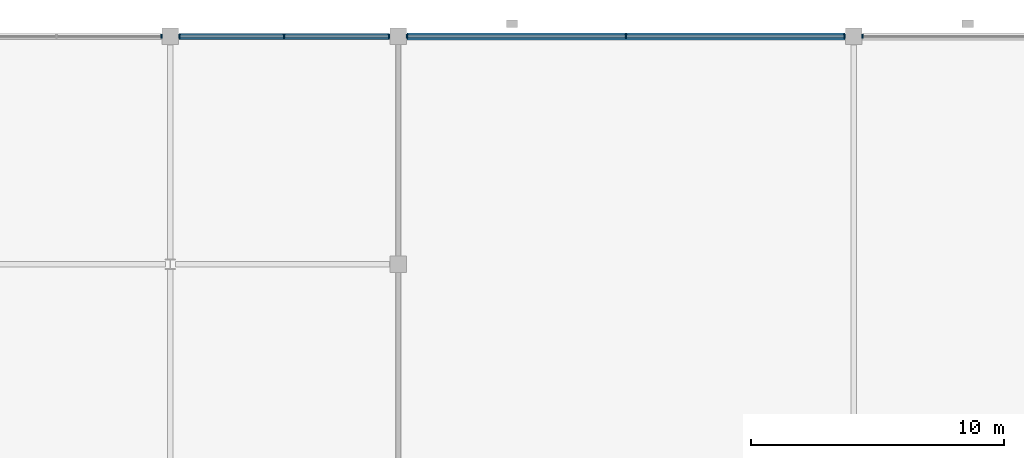
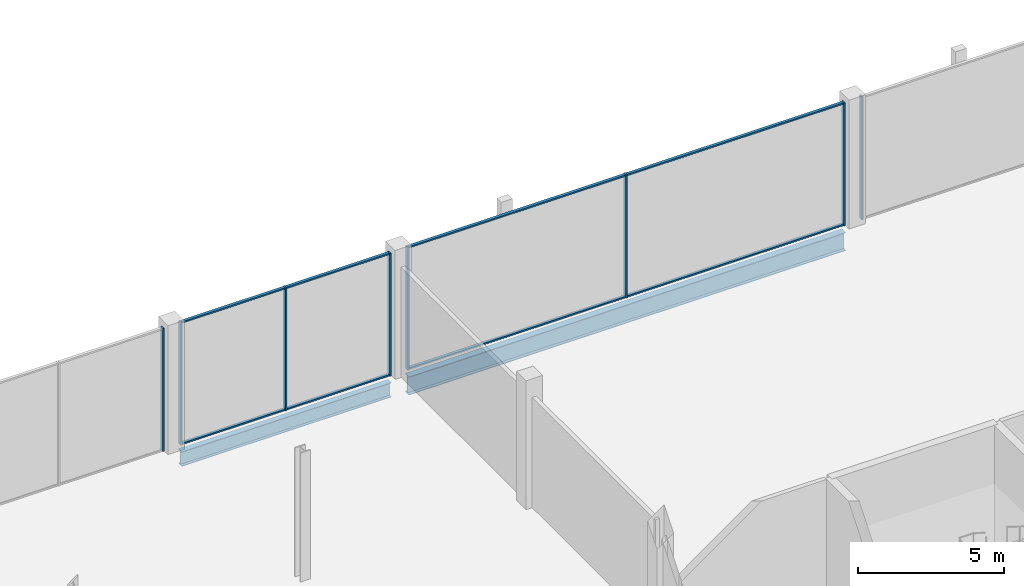
# One storey, part 35 of 113: 16 members, 2 beams, 4 elements without a shape of their own.
"""IFC4 building model written with IfcOpenShell, lengths in metres."""

from ifc_helpers import new_model, si_unit, direction, frame, origin, origin_2d, place, context, subcontext, project, spatial, rectangle, i_section, extrude, material, layer, layer_set, material_profile, profile_set, type_object, element, aggregate, save


model = new_model("IFC4")

# Units and contexts
model_context = context("Model", 3, precision=1e-05, world=origin(), true_north=direction((0.0, 1.0)))
body_context = subcontext(model_context, "Body", "Model", "MODEL_VIEW")
ifc_project = project(units=[si_unit("LENGTHUNIT", "METRE"), si_unit("AREAUNIT", "SQUARE_METRE"), si_unit("VOLUMEUNIT", "CUBIC_METRE"), si_unit("PLANEANGLEUNIT", "RADIAN"), si_unit("MASSUNIT", "GRAM", prefix="KILO")], contexts=[model_context])

# Site, building, storey
site_placement = place(None, origin())
site = spatial("IfcSite", under=ifc_project, at=site_placement, CompositionType="ELEMENT")
building_placement = place(site_placement, origin())
building = spatial("IfcBuilding", under=site, at=building_placement, Name="Kisiwana Market Hall", CompositionType="ELEMENT")
storey_placement = place(building_placement, frame((0.0, 0.0, 6.0)))
storey = spatial("IfcBuildingStorey", under=building, at=storey_placement, Name="L01", CompositionType="ELEMENT", Elevation=6.0)

# Beams
ifc_material_1 = material(Name="Steel S355", Category="steel")
ifc_material_profile_1 = material_profile(ifc_material_1, i_section(OverallWidth=0.22900390625, OverallDepth=0.6123046875, WebThickness=0.011962890625, FlangeThickness=0.01953125, at=origin_2d()), Name="UB 610x229x125")
ifc_profile_set_1 = profile_set([ifc_material_profile_1], Name="Steel S355")
beam_type_1 = type_object("IfcBeamType", Name="BM-GIRD-UB610H", PredefinedType="BEAM", material=ifc_profile_set_1)
beam_1_placement = place(storey_placement, frame((36.345947265625, 120.0, -0.55615234375), z_axis=(1.0, 0.0, 0.0), x_axis=(0.0, 1.0, 0.0)))
element("IfcBeam", 1, at=beam_1_placement, inside=storey, type_object=beam_type_1, Name="Floor beam B-0544", PredefinedType="BEAM", context=body_context, shape_type="SweptSolid", body=[
    extrude(i_section(OverallWidth=0.22900390625, OverallDepth=0.6123046875, WebThickness=0.011962890625, FlangeThickness=0.01953125, at=origin_2d()), origin(), (0.0, 0.0, 1.0), 8.30810546875),
])
ifc_material_2 = material(Name="Steel S355", Category="steel")
ifc_material_profile_2 = material_profile(ifc_material_2, i_section(OverallWidth=0.2666015625, OverallDepth=0.76220703125, WebThickness=0.014404296875, FlangeThickness=0.021484375, at=origin_2d()), Name="UB 762x267x173")
ifc_profile_set_2 = profile_set([ifc_material_profile_2], Name="Steel S355")
beam_type_2 = type_object("IfcBeamType", Name="BM-GIRD-UB762", PredefinedType="BEAM", material=ifc_profile_set_2)
beam_2_placement = place(storey_placement, frame((45.345947265625, 120.0, -0.631103515625), z_axis=(1.0, 0.0, 0.0), x_axis=(0.0, 1.0, 0.0)))
element("IfcBeam", 2, at=beam_2_placement, inside=storey, type_object=beam_type_2, Name="Floor beam B-0545", PredefinedType="BEAM", context=body_context, shape_type="SweptSolid", body=[
    extrude(i_section(OverallWidth=0.2666015625, OverallDepth=0.76220703125, WebThickness=0.014404296875, FlangeThickness=0.021484375, at=origin_2d()), origin(), (0.0, 0.0, 1.0), 17.30810546875),
])

# Curtain wall, member
ifc_material_3 = material(Name="Double-glazed solar-control low-E IGU", Category="glass")
ifc_layer = layer(ifc_material_3, 0.159912109375)
ifc_layer_set = layer_set([ifc_layer], Name="CW-FC-N-8100")
curtain_wall_type = type_object("IfcCurtainWallType", Name="CW-FC-N-8100", PredefinedType="USERDEFINED", material=ifc_layer_set)
curtain_wall_1_placement = place(storey_placement, origin())
curtain_wall_1 = element("IfcCurtainWall", 3, at=curtain_wall_1_placement, inside=storey, type_object=curtain_wall_type, Name="Unitised curtain wall CW-034 (L01)", ObjectType="UNITISED CURTAIN WALL", PredefinedType="USERDEFINED")
ifc_material_4 = material(Name="Aluminium alloy 6063-T6", Category="aluminium")
ifc_material_profile_3 = material_profile(ifc_material_4, rectangle(XDim=0.06005859375, YDim=0.159912109375, at=origin_2d()), Name="ALU MULLION 60x160")
ifc_profile_set_3 = profile_set([ifc_material_profile_3], Name="Aluminium alloy 6063-T6")
member_type_1 = type_object("IfcMemberType", Name="CW-MULL-60x160", PredefinedType="MULLION", material=ifc_profile_set_3)
member_1_placement = place(storey_placement, frame((35.64501953125, 120.0, 0.0), z_axis=(0.0, 0.0, 1.0), x_axis=(1.0, 0.0, 0.0)))
member_1 = element("IfcMember", 4, at=member_1_placement, type_object=member_type_1, Name="CW-034 mullion 3", PredefinedType="MULLION", context=body_context, shape_type="SweptSolid", body=[
    extrude(rectangle(XDim=0.06005859375, YDim=0.159912109375, at=origin_2d()), origin(), (0.0, 0.0, 1.0), 5.14990234375),
])
aggregate(curtain_wall_1, [member_1])

# Curtain wall, members
curtain_wall_2_placement = place(storey_placement, origin())
curtain_wall_2 = element("IfcCurtainWall", 5, at=curtain_wall_2_placement, inside=storey, type_object=curtain_wall_type, Name="Unitised curtain wall CW-035 (L01)", ObjectType="UNITISED CURTAIN WALL", PredefinedType="USERDEFINED")
member_2_placement = place(storey_placement, frame((36.35498046875, 120.0, 0.0), z_axis=(0.0, 0.0, 1.0), x_axis=(1.0, 0.0, 0.0)))
member_2 = element("IfcMember", 6, at=member_2_placement, type_object=member_type_1, Name="CW-035 mullion 1", PredefinedType="MULLION", context=body_context, shape_type="SweptSolid", body=[
    extrude(rectangle(XDim=0.06005859375, YDim=0.159912109375, at=origin_2d()), origin(), (0.0, 0.0, 1.0), 5.14990234375),
])
member_3_placement = place(storey_placement, frame((40.5, 120.0, 0.0), z_axis=(0.0, 0.0, 1.0), x_axis=(1.0, 0.0, 0.0)))
member_3 = element("IfcMember", 7, at=member_3_placement, type_object=member_type_1, Name="CW-035 mullion 2", PredefinedType="MULLION", context=body_context, shape_type="SweptSolid", body=[
    extrude(rectangle(XDim=0.06005859375, YDim=0.159912109375, at=origin_2d()), origin(), (0.0, 0.0, 1.0), 5.14990234375),
])
member_4_placement = place(storey_placement, frame((44.64501953125, 120.0, 0.0), z_axis=(0.0, 0.0, 1.0), x_axis=(1.0, 0.0, 0.0)))
member_4 = element("IfcMember", 8, at=member_4_placement, type_object=member_type_1, Name="CW-035 mullion 3", PredefinedType="MULLION", context=body_context, shape_type="SweptSolid", body=[
    extrude(rectangle(XDim=0.06005859375, YDim=0.159912109375, at=origin_2d()), origin(), (0.0, 0.0, 1.0), 5.14990234375),
])

curtain_wall_3_placement = place(storey_placement, origin())
curtain_wall_3 = element("IfcCurtainWall", 9, at=curtain_wall_3_placement, inside=storey, type_object=curtain_wall_type, Name="Unitised curtain wall CW-036 (L01)", ObjectType="UNITISED CURTAIN WALL", PredefinedType="USERDEFINED")
member_5_placement = place(storey_placement, frame((45.35498046875, 120.0, 0.0), z_axis=(0.0, 0.0, 1.0), x_axis=(1.0, 0.0, 0.0)))
member_5 = element("IfcMember", 10, at=member_5_placement, type_object=member_type_1, Name="CW-036 mullion 1", PredefinedType="MULLION", context=body_context, shape_type="SweptSolid", body=[
    extrude(rectangle(XDim=0.06005859375, YDim=0.159912109375, at=origin_2d()), origin(), (0.0, 0.0, 1.0), 5.14990234375),
])
member_6_placement = place(storey_placement, frame((54.0, 120.0, 0.0), z_axis=(0.0, 0.0, 1.0), x_axis=(1.0, 0.0, 0.0)))
member_6 = element("IfcMember", 11, at=member_6_placement, type_object=member_type_1, Name="CW-036 mullion 2", PredefinedType="MULLION", context=body_context, shape_type="SweptSolid", body=[
    extrude(rectangle(XDim=0.06005859375, YDim=0.159912109375, at=origin_2d()), origin(), (0.0, 0.0, 1.0), 5.14990234375),
])
member_7_placement = place(storey_placement, frame((62.64501953125, 120.0, 0.0), z_axis=(0.0, 0.0, 1.0), x_axis=(1.0, 0.0, 0.0)))
member_7 = element("IfcMember", 12, at=member_7_placement, type_object=member_type_1, Name="CW-036 mullion 3", PredefinedType="MULLION", context=body_context, shape_type="SweptSolid", body=[
    extrude(rectangle(XDim=0.06005859375, YDim=0.159912109375, at=origin_2d()), origin(), (0.0, 0.0, 1.0), 5.14990234375),
])

# Curtain wall, member
curtain_wall_4_placement = place(storey_placement, origin())
curtain_wall_4 = element("IfcCurtainWall", 13, at=curtain_wall_4_placement, inside=storey, type_object=curtain_wall_type, Name="Unitised curtain wall CW-037 (L01)", ObjectType="UNITISED CURTAIN WALL", PredefinedType="USERDEFINED")
member_8_placement = place(storey_placement, frame((63.35498046875, 120.0, 0.0), z_axis=(0.0, 0.0, 1.0), x_axis=(1.0, 0.0, 0.0)))
member_8 = element("IfcMember", 14, at=member_8_placement, type_object=member_type_1, Name="CW-037 mullion 1", PredefinedType="MULLION", context=body_context, shape_type="SweptSolid", body=[
    extrude(rectangle(XDim=0.06005859375, YDim=0.159912109375, at=origin_2d()), origin(), (0.0, 0.0, 1.0), 5.14990234375),
])
aggregate(curtain_wall_4, [member_8])

# Member
ifc_material_5 = material(Name="Aluminium alloy 6063-T6", Category="aluminium")
ifc_material_profile_4 = material_profile(ifc_material_5, rectangle(XDim=0.1201171875, YDim=0.06005859375, at=origin_2d()), Name="ALU TRANSOM 60x120")
ifc_profile_set_4 = profile_set([ifc_material_profile_4], Name="Aluminium alloy 6063-T6")
member_type_2 = type_object("IfcMemberType", Name="CW-TRAN-60x120", PredefinedType="USERDEFINED", material=ifc_profile_set_4)
member_9_placement = place(storey_placement, frame((36.385009765625, 120.0, 0.030029296875), z_axis=(1.0, 0.0, 0.0), x_axis=(0.0, 1.0, 0.0)))
member_9 = element("IfcMember", 15, at=member_9_placement, type_object=member_type_2, Name="CW-035 transom 1.1", ObjectType="TRANSOM", PredefinedType="USERDEFINED", context=body_context, shape_type="SweptSolid", body=[
    extrude(rectangle(XDim=0.1201171875, YDim=0.06005859375, at=origin_2d()), origin(), (0.0, 0.0, 1.0), 4.0849609375),
])

member_10_placement = place(storey_placement, frame((36.385009765625, 120.0, 5.1201171875), z_axis=(1.0, 0.0, 0.0), x_axis=(0.0, 1.0, 0.0)))
member_10 = element("IfcMember", 16, at=member_10_placement, type_object=member_type_2, Name="CW-035 transom 1.2", ObjectType="TRANSOM", PredefinedType="USERDEFINED", context=body_context, shape_type="SweptSolid", body=[
    extrude(rectangle(XDim=0.1201171875, YDim=0.06005859375, at=origin_2d()), origin(), (0.0, 0.0, 1.0), 4.0849609375),
])

member_11_placement = place(storey_placement, frame((40.530029296875, 120.0, 0.030029296875), z_axis=(1.0, 0.0, 0.0), x_axis=(0.0, 1.0, 0.0)))
member_11 = element("IfcMember", 17, at=member_11_placement, type_object=member_type_2, Name="CW-035 transom 2.1", ObjectType="TRANSOM", PredefinedType="USERDEFINED", context=body_context, shape_type="SweptSolid", body=[
    extrude(rectangle(XDim=0.1201171875, YDim=0.06005859375, at=origin_2d()), origin(), (0.0, 0.0, 1.0), 4.0849609375),
])

member_12_placement = place(storey_placement, frame((40.530029296875, 120.0, 5.1201171875), z_axis=(1.0, 0.0, 0.0), x_axis=(0.0, 1.0, 0.0)))
member_12 = element("IfcMember", 18, at=member_12_placement, type_object=member_type_2, Name="CW-035 transom 2.2", ObjectType="TRANSOM", PredefinedType="USERDEFINED", context=body_context, shape_type="SweptSolid", body=[
    extrude(rectangle(XDim=0.1201171875, YDim=0.06005859375, at=origin_2d()), origin(), (0.0, 0.0, 1.0), 4.0849609375),
])

aggregate(curtain_wall_2, [member_2, member_3, member_4, member_9, member_10, member_11, member_12])

member_13_placement = place(storey_placement, frame((45.385009765625, 120.0, 0.030029296875), z_axis=(1.0, 0.0, 0.0), x_axis=(0.0, 1.0, 0.0)))
member_13 = element("IfcMember", 19, at=member_13_placement, type_object=member_type_2, Name="CW-036 transom 1.1", ObjectType="TRANSOM", PredefinedType="USERDEFINED", context=body_context, shape_type="SweptSolid", body=[
    extrude(rectangle(XDim=0.1201171875, YDim=0.06005859375, at=origin_2d()), origin(), (0.0, 0.0, 1.0), 8.5849609375),
])

member_14_placement = place(storey_placement, frame((45.385009765625, 120.0, 5.1201171875), z_axis=(1.0, 0.0, 0.0), x_axis=(0.0, 1.0, 0.0)))
member_14 = element("IfcMember", 20, at=member_14_placement, type_object=member_type_2, Name="CW-036 transom 1.2", ObjectType="TRANSOM", PredefinedType="USERDEFINED", context=body_context, shape_type="SweptSolid", body=[
    extrude(rectangle(XDim=0.1201171875, YDim=0.06005859375, at=origin_2d()), origin(), (0.0, 0.0, 1.0), 8.5849609375),
])

member_15_placement = place(storey_placement, frame((54.030029296875, 120.0, 0.030029296875), z_axis=(1.0, 0.0, 0.0), x_axis=(0.0, 1.0, 0.0)))
member_15 = element("IfcMember", 21, at=member_15_placement, type_object=member_type_2, Name="CW-036 transom 2.1", ObjectType="TRANSOM", PredefinedType="USERDEFINED", context=body_context, shape_type="SweptSolid", body=[
    extrude(rectangle(XDim=0.1201171875, YDim=0.06005859375, at=origin_2d()), origin(), (0.0, 0.0, 1.0), 8.5849609375),
])

member_16_placement = place(storey_placement, frame((54.030029296875, 120.0, 5.1201171875), z_axis=(1.0, 0.0, 0.0), x_axis=(0.0, 1.0, 0.0)))
member_16 = element("IfcMember", 22, at=member_16_placement, type_object=member_type_2, Name="CW-036 transom 2.2", ObjectType="TRANSOM", PredefinedType="USERDEFINED", context=body_context, shape_type="SweptSolid", body=[
    extrude(rectangle(XDim=0.1201171875, YDim=0.06005859375, at=origin_2d()), origin(), (0.0, 0.0, 1.0), 8.5849609375),
])

aggregate(curtain_wall_3, [member_5, member_6, member_7, member_13, member_14, member_15, member_16])

save(model, "model.ifc")
